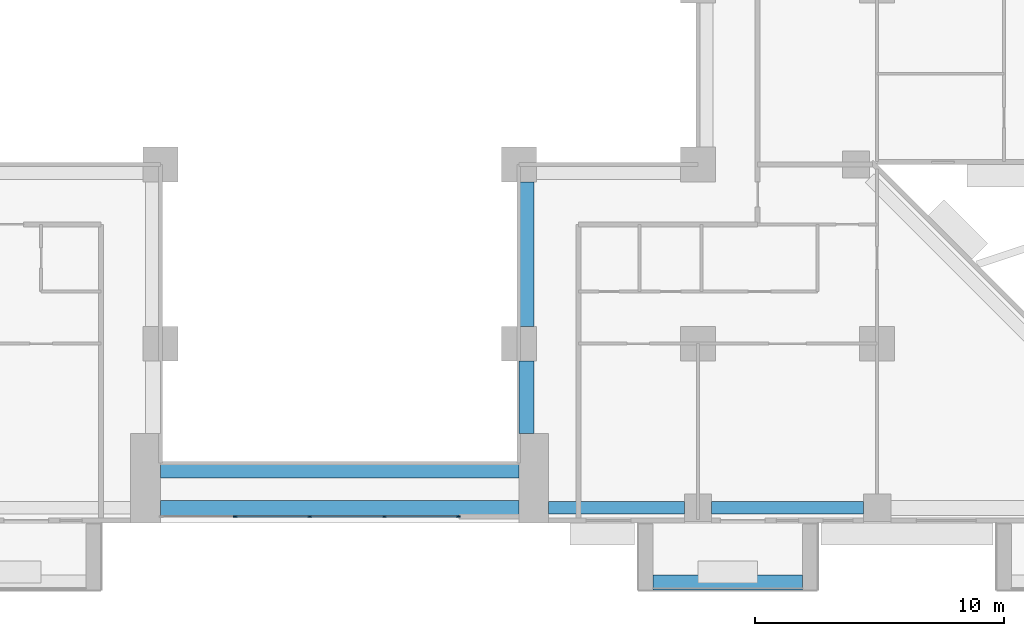
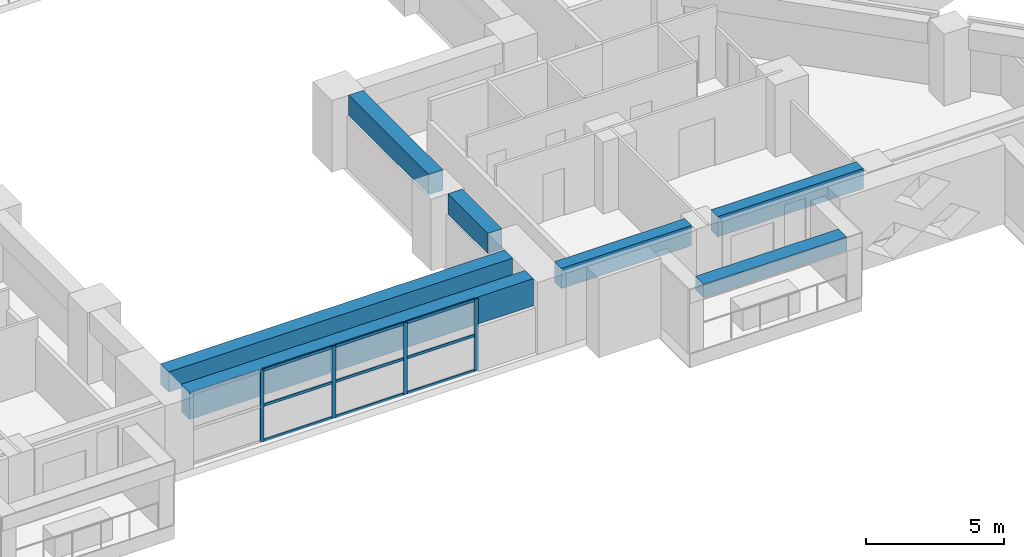
# One storey, part 4 of 17: 13 members, 7 beams, 1 element without a shape of its own.
"""IFC4 building model written with IfcOpenShell, lengths in metres."""

from ifc_helpers import new_model, si_unit, direction, frame, origin, origin_2d, place, context, subcontext, project, spatial, rectangle, extrude, source, transform, mapped, material, layer, layer_set, material_profile, profile_set, type_object, element, aggregate, save


model = new_model("IFC4")

# Units and contexts
model_context = context("Model", 3, precision=1e-05, world=origin(), true_north=direction((0.0, 1.0)))
body_context = subcontext(model_context, "Body", "Model", "MODEL_VIEW")
ifc_project = project(units=[si_unit("LENGTHUNIT", "METRE"), si_unit("AREAUNIT", "SQUARE_METRE"), si_unit("VOLUMEUNIT", "CUBIC_METRE"), si_unit("PLANEANGLEUNIT", "RADIAN"), si_unit("MASSUNIT", "GRAM", prefix="KILO")], contexts=[model_context])

# Site, building, storey
site_placement = place(None, origin())
site = spatial("IfcSite", under=ifc_project, at=site_placement, CompositionType="ELEMENT")
building_placement = place(site_placement, origin())
building = spatial("IfcBuilding", under=site, at=building_placement, Name="Saffron Iwan Residences", CompositionType="ELEMENT")
storey_placement = place(building_placement, frame((0.0, 0.0, 41.0)))
storey = spatial("IfcBuildingStorey", under=building, at=storey_placement, Name="L09", CompositionType="ELEMENT", Elevation=41.0)

# Beams
ifc_material_1 = material(Name="Concrete C60/75", Category="concrete")
ifc_material_profile_1 = material_profile(ifc_material_1, rectangle(XDim=0.5, YDim=0.89990234375, at=origin_2d()), Name="RC 500x900")
ifc_profile_set_1 = profile_set([ifc_material_profile_1], Name="Concrete C60/75")
beam_type_1 = type_object("IfcBeamType", Name="SPANDREL BEAM RC 500x900 C60/75 TOP 3180", PredefinedType="SPANDREL", material=ifc_profile_set_1)
shared_shape_1 = source(origin(), body_context, "Body", "SweptSolid", [
    extrude(rectangle(XDim=0.5, YDim=0.89990234375, at=origin_2d()), origin(), (0.0, 0.0, 1.0), 6.099853515625),
])
beam_1_placement = place(storey_placement, frame((71.449951171875, 34.199951171875, 2.72998046875), z_axis=(-1.0, 0.0, 0.0), x_axis=(0.0, -1.0, 0.0)))
element("IfcBeam", 1, at=beam_1_placement, inside=storey, type_object=beam_type_1, Name="Spandrel beam", PredefinedType="SPANDREL", context=body_context, shape_type="MappedRepresentation", body=[
    mapped(shared_shape_1, transform((0.0, 0.0, 0.0))),
])
shared_shape_2 = source(origin(), body_context, "Body", "SweptSolid", [
    extrude(rectangle(XDim=0.5, YDim=0.89990234375, at=origin_2d()), origin(), (0.0, 0.0, 1.0), 5.449951171875),
])
beam_2_placement = place(storey_placement, frame((64.25, 34.199951171875, 2.72998046875), z_axis=(-1.0, 0.0, 0.0), x_axis=(0.0, -1.0, 0.0)))
element("IfcBeam", 2, at=beam_2_placement, inside=storey, type_object=beam_type_1, Name="Spandrel beam", PredefinedType="SPANDREL", context=body_context, shape_type="MappedRepresentation", body=[
    mapped(shared_shape_2, transform((0.0, 0.0, 0.0))),
])
ifc_material_profile_2 = material_profile(ifc_material_1, rectangle(XDim=0.60009765625, YDim=1.199951171875, at=origin_2d()), Name="RC 600x1200")
ifc_profile_set_2 = profile_set([ifc_material_profile_2], Name="Concrete C60/75")
beam_type_2 = type_object("IfcBeamType", Name="LINTEL BEAM RC 600x1200 C60/75 TOP 3180", PredefinedType="LINTEL", material=ifc_profile_set_2)
shared_shape_3 = source(origin(), body_context, "Body", "SweptSolid", [
    extrude(rectangle(XDim=0.60009765625, YDim=1.199951171875, at=origin_2d()), origin(), (0.0, 0.0, 1.0), 14.400146484375),
])
beam_3_placement = place(storey_placement, frame((57.60009765625, 34.199951171875, 2.580078125), z_axis=(-1.0, 0.0, 0.0), x_axis=(0.0, -1.0, 0.0)))
element("IfcBeam", 3, at=beam_3_placement, inside=storey, type_object=beam_type_2, Name="Lintel beam over the iwan", PredefinedType="LINTEL", context=body_context, shape_type="MappedRepresentation", body=[
    mapped(shared_shape_3, transform((0.0, 0.0, 0.0))),
])
ifc_material_profile_3 = material_profile(ifc_material_1, rectangle(XDim=0.60009765625, YDim=0.89990234375, at=origin_2d()), Name="RC 600x900")
ifc_profile_set_3 = profile_set([ifc_material_profile_3], Name="Concrete C60/75")
beam_type_3 = type_object("IfcBeamType", Name="BEAM RC 600x900 C60/75 TOP 3180", PredefinedType="BEAM", material=ifc_profile_set_3)
shared_shape_4 = source(origin(), body_context, "Body", "SweptSolid", [
    extrude(rectangle(XDim=0.60009765625, YDim=0.89990234375, at=origin_2d()), origin(), (0.0, 0.0, 1.0), 14.400146484375),
])
beam_4_placement = place(storey_placement, frame((57.60009765625, 35.699951171875, 2.72998046875), z_axis=(-1.0, 0.0, 0.0), x_axis=(0.0, -1.0, 0.0)))
element("IfcBeam", 4, at=beam_4_placement, inside=storey, type_object=beam_type_3, Name="Atrium edge beam", PredefinedType="BEAM", context=body_context, shape_type="MappedRepresentation", body=[
    mapped(shared_shape_4, transform((0.0, 0.0, 0.0))),
])
shared_shape_5 = source(origin(), body_context, "Body", "SweptSolid", [
    extrude(rectangle(XDim=0.60009765625, YDim=0.89990234375, at=origin_2d()), origin(), (0.0, 0.0, 1.0), 2.900146484375),
])
beam_5_placement = place(storey_placement, frame((57.89990234375, 40.10009765625, 2.72998046875), z_axis=(0.0, -1.0, 0.0), x_axis=(1.0, 0.0, 0.0)))
element("IfcBeam", 5, at=beam_5_placement, inside=storey, type_object=beam_type_3, Name="Atrium edge beam", PredefinedType="BEAM", context=body_context, shape_type="MappedRepresentation", body=[
    mapped(shared_shape_5, transform((0.0, 0.0, 0.0))),
])
shared_shape_6 = source(origin(), body_context, "Body", "SweptSolid", [
    extrude(rectangle(XDim=0.60009765625, YDim=0.89990234375, at=origin_2d()), origin(), (0.0, 0.0, 1.0), 5.800048828125),
])
beam_6_placement = place(storey_placement, frame((57.89990234375, 47.300048828125, 2.72998046875), z_axis=(0.0, -1.0, 0.0), x_axis=(1.0, 0.0, 0.0)))
element("IfcBeam", 6, at=beam_6_placement, inside=storey, type_object=beam_type_3, Name="Atrium edge beam", PredefinedType="BEAM", context=body_context, shape_type="MappedRepresentation", body=[
    mapped(shared_shape_6, transform((0.0, 0.0, 0.0))),
])

# Curtain wall, members
ifc_material_2 = material(Name="Clear glass, laminated double glazed", Category="glass")
ifc_layer = layer(ifc_material_2, 0.199951171875)
ifc_layer_set = layer_set([ifc_layer], Name="Clear glass, laminated double glazed")
curtain_wall_type = type_object("IfcCurtainWallType", Name="CW-B IWAN PORTAL", PredefinedType="NOTDEFINED", material=ifc_layer_set)
curtain_wall_placement = place(storey_placement, origin())
curtain_wall = element("IfcCurtainWall", 7, at=curtain_wall_placement, inside=storey, type_object=curtain_wall_type, Name="Iwan portal glazing L09.1", PredefinedType="NOTDEFINED")
ifc_material_3 = material(Name="Aluminium 6063-T6", Category="aluminium")
ifc_material_profile_4 = material_profile(ifc_material_3, rectangle(XDim=0.06005859375, YDim=0.159912109375, at=origin_2d()), Name="CW-B MULLION 60 x 160")
ifc_profile_set_4 = profile_set([ifc_material_profile_4], Name="Aluminium 6063-T6")
member_type_1 = type_object("IfcMemberType", Name="CW-B MULLION 60 x 160", PredefinedType="MULLION", material=ifc_profile_set_4)
shared_shape_7 = source(origin(), body_context, "Body", "SweptSolid", [
    extrude(rectangle(XDim=0.06005859375, YDim=0.159912109375, at=origin_2d()), origin(), (0.0, 0.0, 1.0), 3.179931640625),
])
member_1_placement = place(storey_placement, frame((46.199951171875, 33.85009765625, 0.0), z_axis=(0.0, 0.0, 1.0), x_axis=(0.0, 1.0, 0.0)))
member_1 = element("IfcMember", 8, at=member_1_placement, type_object=member_type_1, Name="CW-B mullion 2", PredefinedType="MULLION", context=body_context, shape_type="MappedRepresentation", body=[
    mapped(shared_shape_7, transform((0.0, 0.0, 0.0))),
])
member_2_placement = place(storey_placement, frame((49.199951171875, 33.85009765625, 0.0), z_axis=(0.0, 0.0, 1.0), x_axis=(0.0, 1.0, 0.0)))
member_2 = element("IfcMember", 9, at=member_2_placement, type_object=member_type_1, Name="CW-B mullion 3", PredefinedType="MULLION", context=body_context, shape_type="MappedRepresentation", body=[
    mapped(shared_shape_7, transform((0.0, 0.0, 0.0))),
])
member_3_placement = place(storey_placement, frame((52.199951171875, 33.85009765625, 0.0), z_axis=(0.0, 0.0, 1.0), x_axis=(0.0, 1.0, 0.0)))
member_3 = element("IfcMember", 10, at=member_3_placement, type_object=member_type_1, Name="CW-B mullion 4", PredefinedType="MULLION", context=body_context, shape_type="MappedRepresentation", body=[
    mapped(shared_shape_7, transform((0.0, 0.0, 0.0))),
])
member_4_placement = place(storey_placement, frame((55.169921875, 33.85009765625, 0.0), z_axis=(0.0, 0.0, 1.0), x_axis=(0.0, 1.0, 0.0)))
member_4 = element("IfcMember", 11, at=member_4_placement, type_object=member_type_1, Name="CW-B mullion 5", PredefinedType="MULLION", context=body_context, shape_type="MappedRepresentation", body=[
    mapped(shared_shape_7, transform((0.0, 0.0, 0.0))),
])
ifc_material_profile_5 = material_profile(ifc_material_3, rectangle(XDim=0.06005859375, YDim=0.1201171875, at=origin_2d()), Name="CW-B TRANSOM 60 x 120")
ifc_profile_set_5 = profile_set([ifc_material_profile_5], Name="Aluminium 6063-T6")
member_type_2 = type_object("IfcMemberType", Name="CW-B TRANSOM 60 x 120", PredefinedType="USERDEFINED", material=ifc_profile_set_5)
shared_shape_8 = source(origin(), body_context, "Body", "SweptSolid", [
    extrude(rectangle(XDim=0.06005859375, YDim=0.1201171875, at=origin_2d()), origin(), (0.0, 0.0, 1.0), 2.909912109375),
])
member_5_placement = place(storey_placement, frame((52.22998046875, 33.85009765625, 0.030029296875), z_axis=(1.0, 0.0, 0.0), x_axis=(0.0, 1.0, 0.0)))
member_5 = element("IfcMember", 12, at=member_5_placement, type_object=member_type_2, Name="CW-B transom 4.1", ObjectType="TRANSOM", PredefinedType="USERDEFINED", context=body_context, shape_type="MappedRepresentation", body=[
    mapped(shared_shape_8, transform((0.0, 0.0, 0.0))),
])
member_6_placement = place(storey_placement, frame((52.22998046875, 33.85009765625, 1.590087890625), z_axis=(1.0, 0.0, 0.0), x_axis=(0.0, 1.0, 0.0)))
member_6 = element("IfcMember", 13, at=member_6_placement, type_object=member_type_2, Name="CW-B transom 4.2", ObjectType="TRANSOM", PredefinedType="USERDEFINED", context=body_context, shape_type="MappedRepresentation", body=[
    mapped(shared_shape_8, transform((0.0, 0.0, 0.0))),
])
member_7_placement = place(storey_placement, frame((52.22998046875, 33.85009765625, 3.14990234375), z_axis=(1.0, 0.0, 0.0), x_axis=(0.0, 1.0, 0.0)))
member_7 = element("IfcMember", 14, at=member_7_placement, type_object=member_type_2, Name="CW-B transom 4.3", ObjectType="TRANSOM", PredefinedType="USERDEFINED", context=body_context, shape_type="MappedRepresentation", body=[
    mapped(shared_shape_8, transform((0.0, 0.0, 0.0))),
])
shared_shape_9 = source(origin(), body_context, "Body", "SweptSolid", [
    extrude(rectangle(XDim=0.06005859375, YDim=0.1201171875, at=origin_2d()), origin(), (0.0, 0.0, 1.0), 2.93994140625),
])
member_8_placement = place(storey_placement, frame((46.22998046875, 33.85009765625, 0.030029296875), z_axis=(1.0, 0.0, 0.0), x_axis=(0.0, 1.0, 0.0)))
member_8 = element("IfcMember", 15, at=member_8_placement, type_object=member_type_2, Name="CW-B transom 2.1", ObjectType="TRANSOM", PredefinedType="USERDEFINED", context=body_context, shape_type="MappedRepresentation", body=[
    mapped(shared_shape_9, transform((0.0, 0.0, 0.0))),
])
member_9_placement = place(storey_placement, frame((46.22998046875, 33.85009765625, 1.590087890625), z_axis=(1.0, 0.0, 0.0), x_axis=(0.0, 1.0, 0.0)))
member_9 = element("IfcMember", 16, at=member_9_placement, type_object=member_type_2, Name="CW-B transom 2.2", ObjectType="TRANSOM", PredefinedType="USERDEFINED", context=body_context, shape_type="MappedRepresentation", body=[
    mapped(shared_shape_9, transform((0.0, 0.0, 0.0))),
])
member_10_placement = place(storey_placement, frame((46.22998046875, 33.85009765625, 3.14990234375), z_axis=(1.0, 0.0, 0.0), x_axis=(0.0, 1.0, 0.0)))
member_10 = element("IfcMember", 17, at=member_10_placement, type_object=member_type_2, Name="CW-B transom 2.3", ObjectType="TRANSOM", PredefinedType="USERDEFINED", context=body_context, shape_type="MappedRepresentation", body=[
    mapped(shared_shape_9, transform((0.0, 0.0, 0.0))),
])
member_11_placement = place(storey_placement, frame((49.22998046875, 33.85009765625, 0.030029296875), z_axis=(1.0, 0.0, 0.0), x_axis=(0.0, 1.0, 0.0)))
member_11 = element("IfcMember", 18, at=member_11_placement, type_object=member_type_2, Name="CW-B transom 3.1", ObjectType="TRANSOM", PredefinedType="USERDEFINED", context=body_context, shape_type="MappedRepresentation", body=[
    mapped(shared_shape_9, transform((0.0, 0.0, 0.0))),
])
member_12_placement = place(storey_placement, frame((49.22998046875, 33.85009765625, 1.590087890625), z_axis=(1.0, 0.0, 0.0), x_axis=(0.0, 1.0, 0.0)))
member_12 = element("IfcMember", 19, at=member_12_placement, type_object=member_type_2, Name="CW-B transom 3.2", ObjectType="TRANSOM", PredefinedType="USERDEFINED", context=body_context, shape_type="MappedRepresentation", body=[
    mapped(shared_shape_9, transform((0.0, 0.0, 0.0))),
])
member_13_placement = place(storey_placement, frame((49.22998046875, 33.85009765625, 3.14990234375), z_axis=(1.0, 0.0, 0.0), x_axis=(0.0, 1.0, 0.0)))
member_13 = element("IfcMember", 20, at=member_13_placement, type_object=member_type_2, Name="CW-B transom 3.3", ObjectType="TRANSOM", PredefinedType="USERDEFINED", context=body_context, shape_type="MappedRepresentation", body=[
    mapped(shared_shape_9, transform((0.0, 0.0, 0.0))),
])
aggregate(curtain_wall, [member_1, member_2, member_3, member_4, member_8, member_9, member_10, member_11, member_12, member_13, member_5, member_6, member_7])

# Beam
ifc_material_4 = material(Name="Concrete C50/60 white painted", Category="concrete")
ifc_material_profile_6 = material_profile(ifc_material_4, rectangle(XDim=0.60009765625, YDim=0.60009765625, at=origin_2d()), Name="BALCONY FASCIA BEAM 600 x 600")
ifc_profile_set_6 = profile_set([ifc_material_profile_6], Name="Concrete C50/60 white painted")
beam_type_4 = type_object("IfcBeamType", Name="BALCONY FASCIA BEAM 600 x 600", PredefinedType="BEAM", material=ifc_profile_set_6)
shared_shape_10 = source(origin(), body_context, "Body", "SweptSolid", [
    extrude(rectangle(XDim=0.60009765625, YDim=0.60009765625, at=origin_2d()), origin(), (0.0, 0.0, 1.0), 6.0),
])
beam_7_placement = place(storey_placement, frame((63.0, 31.199951171875, 2.550048828125), z_axis=(1.0, 0.0, 0.0), x_axis=(0.0, 1.0, 0.0)))
element("IfcBeam", 21, at=beam_7_placement, inside=storey, type_object=beam_type_4, Name="Balcony fascia beam L09 11-2", PredefinedType="BEAM", context=body_context, shape_type="MappedRepresentation", body=[
    mapped(shared_shape_10, transform((0.0, 0.0, 0.0))),
])

save(model, "model.ifc")
